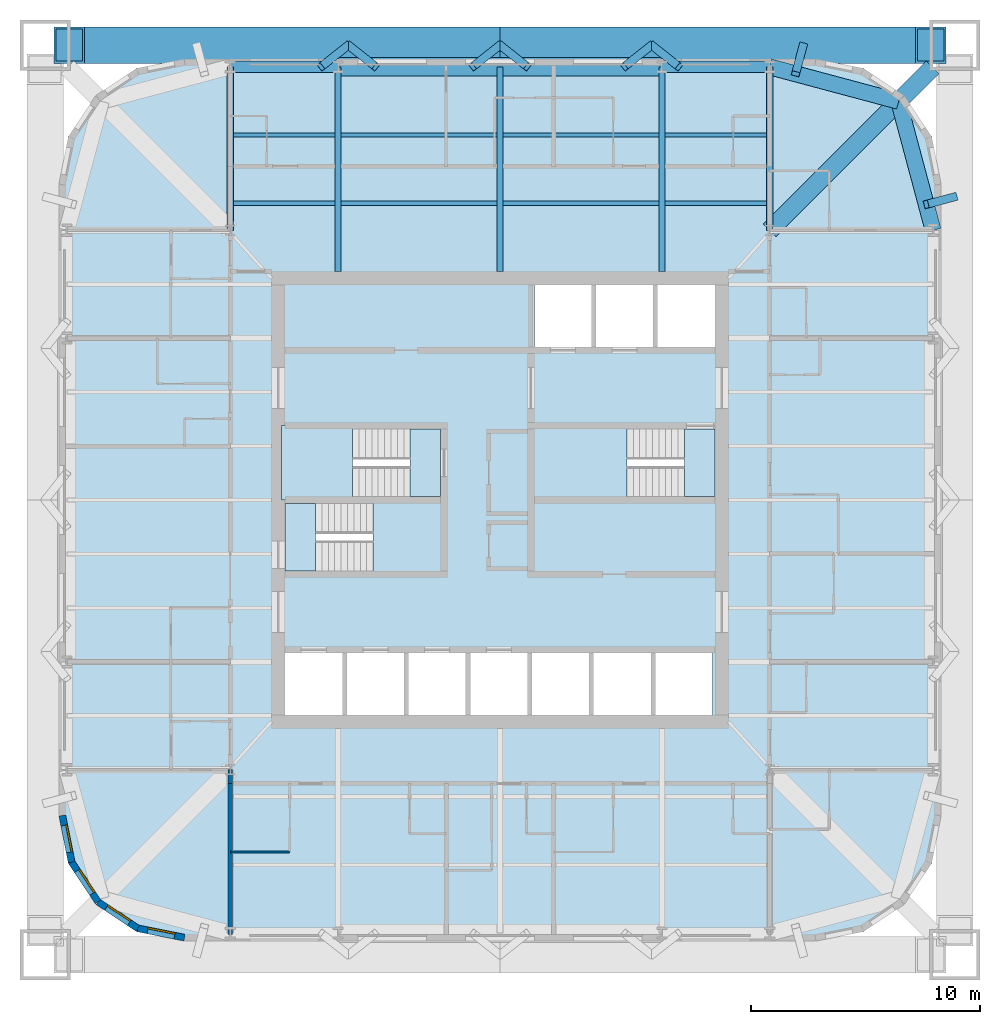
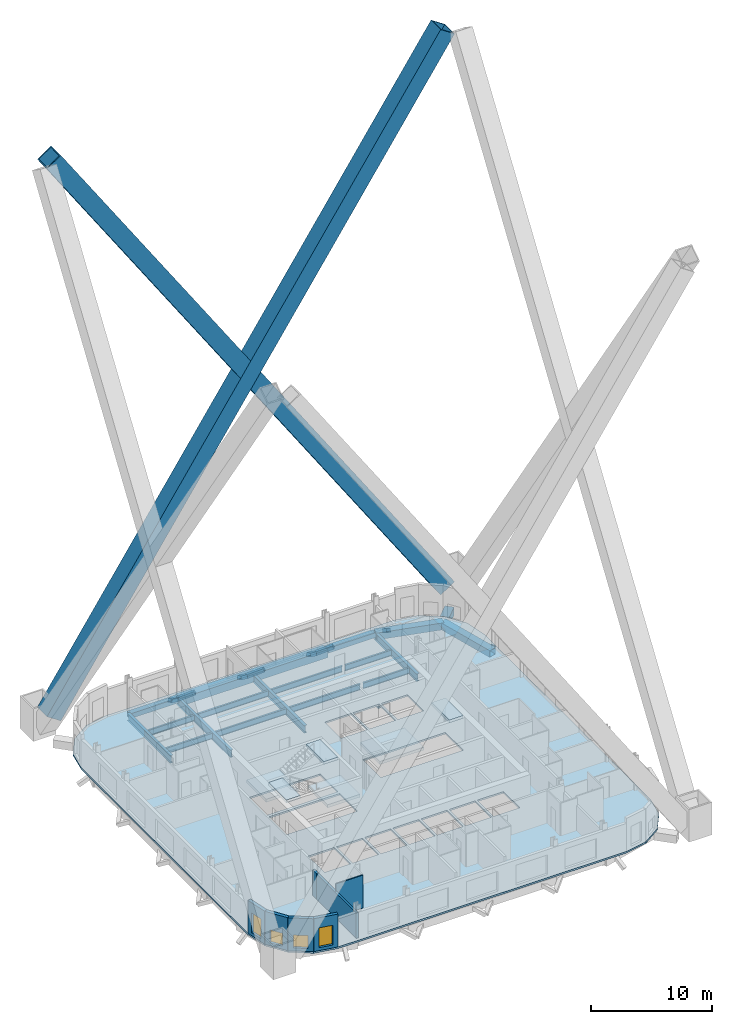
# One storey, part 2 of 9: 27 beams, 7 slabs, 7 walls, 4 windows, 2 members, 4 openings, 3 elements without a shape of their own.
"""IFC4 building model written with IfcOpenShell, lengths in metres."""

from ifc_helpers import new_model, si_unit, direction, frame, frame_2d, origin, origin_2d, place, context, subcontext, project, spatial, polyline, rectangle, hollow_rectangle, i_section, outline, extrude, material, layer, layer_set, material_profile, profile_set, type_object, element, fill, aggregate, save


model = new_model("IFC4")

# Units and contexts
model_context = context("Model", 3, precision=1e-05, world=origin(), true_north=direction((0.0, 1.0)))
body_context = subcontext(model_context, "Body", "Model", "MODEL_VIEW")
ifc_project = project(units=[si_unit("LENGTHUNIT", "METRE"), si_unit("AREAUNIT", "SQUARE_METRE"), si_unit("VOLUMEUNIT", "CUBIC_METRE"), si_unit("PLANEANGLEUNIT", "RADIAN"), si_unit("MASSUNIT", "GRAM", prefix="KILO")], contexts=[model_context])

# Site, building, storey
site_placement = place(None, origin())
site = spatial("IfcSite", under=ifc_project, at=site_placement, CompositionType="ELEMENT")
building_placement = place(site_placement, origin())
building = spatial("IfcBuilding", under=site, at=building_placement, Name="Turquesa Mirador Hotel Tower", CompositionType="ELEMENT")
storey_placement = place(building_placement, frame((0.0, 0.0, 161.800048828125)))
storey = spatial("IfcBuildingStorey", under=building, at=storey_placement, Name="L43", CompositionType="ELEMENT", Elevation=161.800048828125)

# Beams
ifc_material_1 = material(Name="Steel ASTM A572 Grade 50", Category="steel")
ifc_material_profile_1 = material_profile(ifc_material_1, hollow_rectangle(XDim=0.5, YDim=0.5, WallThickness=0.031982421875, at=origin_2d()), Name="BOX500X500X32")
ifc_profile_set_1 = profile_set([ifc_material_profile_1], Name="Steel ASTM A572 Grade 50")
beam_type_1 = type_object("IfcBeamType", Name="BEAM BOX500X500X32", PredefinedType="BEAM", material=ifc_profile_set_1)
for number, where, z_axis, x_axis, name in (
    (1, (43.199951171875, 63.949951171875, -0.420166015625), (1.0, 0.0, 0.0), (0.0, 1.0, 0.0), "EB-L43-N-L"),
    (2, (62.080078125, 63.949951171875, -0.420166015625), (1.0, 0.0, 0.0), (0.0, 1.0, 0.0), "EB-L43-N-R"),
):
    element("IfcBeam", number, at=place(storey_placement, frame(where, z_axis=z_axis, x_axis=x_axis)), inside=storey, type_object=beam_type_1, Name=name, PredefinedType="BEAM", context=body_context, shape_type="SweptSolid", body=[
        extrude(hollow_rectangle(XDim=0.5, YDim=0.5, WallThickness=0.031982421875, at=origin_2d()), origin(), (0.0, 0.0, 1.0), 4.719970703125),
    ])
ifc_material_2 = material(Name="Steel ASTM A572 Grade 50", Category="steel")
ifc_material_profile_2 = material_profile(ifc_material_2, hollow_rectangle(XDim=0.699951171875, YDim=0.699951171875, WallThickness=0.044921875, at=origin_2d()), Name="BOX700X700X45")
ifc_profile_set_2 = profile_set([ifc_material_profile_2], Name="Steel ASTM A572 Grade 50")
beam_type_2 = type_object("IfcBeamType", Name="BEAM BOX700X700X45", PredefinedType="BEAM", material=ifc_profile_set_2)
for number, where, z_axis, x_axis, name in (
    (3, (73.949951171875, 56.800048828125, -0.52001953125), (-0.258281892145, 0.966069595935, 0.0), (-0.966069595935, -0.258281892145, 0.0), "KE-L43-1-0"),
    (4, (72.441650390625, 62.441650390625, -0.52001953125), (-0.966069595935, 0.258281892145, 0.0), (-0.258281892145, -0.966069595935, 0.0), "KE-L43-1-1"),
):
    element("IfcBeam", number, at=place(storey_placement, frame(where, z_axis=z_axis, x_axis=x_axis)), inside=storey, type_object=beam_type_2, Name=name, PredefinedType="BEAM", context=body_context, shape_type="SweptSolid", body=[
        extrude(hollow_rectangle(XDim=0.699951171875, YDim=0.699951171875, WallThickness=0.044921875, at=origin_2d()), origin(), (0.0, 0.0, 1.0), 5.83984375),
    ])
ifc_material_3 = material(Name="Steel ASTM A572 Grade 50", Category="steel")
ifc_material_profile_3 = material_profile(ifc_material_3, hollow_rectangle(XDim=0.800048828125, YDim=0.800048828125, WallThickness=0.030029296875, at=origin_2d()), Name="BOX800X800X30")
ifc_profile_set_3 = profile_set([ifc_material_profile_3], Name="Steel ASTM A572 Grade 50")
beam_type_3 = type_object("IfcBeamType", Name="BEAM BOX800X800X30", PredefinedType="BEAM", material=ifc_profile_set_3)
beam_1_placement = place(storey_placement, frame((47.919921875, 63.949951171875, -0.570068359375), z_axis=(1.0, 0.0, 0.0), x_axis=(0.0, 1.0, 0.0)))
element("IfcBeam", 5, at=beam_1_placement, inside=storey, type_object=beam_type_3, Name="EB-L43-N-C", PredefinedType="BEAM", context=body_context, shape_type="SweptSolid", body=[
    extrude(hollow_rectangle(XDim=0.800048828125, YDim=0.800048828125, WallThickness=0.030029296875, at=origin_2d()), origin(), (0.0, 0.0, 1.0), 14.16015625),
])
ifc_material_4 = material(Name="Steel ASTM A572 Grade 50", Category="steel")
ifc_material_profile_4 = material_profile(ifc_material_4, hollow_rectangle(XDim=0.800048828125, YDim=0.800048828125, WallThickness=0.050048828125, at=origin_2d()), Name="BOX800X800X50")
ifc_profile_set_4 = profile_set([ifc_material_profile_4], Name="Steel ASTM A572 Grade 50")
beam_type_4 = type_object("IfcBeamType", Name="BEAM BOX800X800X50", PredefinedType="BEAM", material=ifc_profile_set_4)
beam_2_placement = place(storey_placement, frame((66.800048828125, 56.800048828125, -0.570068359375), z_axis=(0.707106781187, 0.707106781187, 0.0), x_axis=(-0.707106781187, 0.707106781187, 0.0)))
element("IfcBeam", 6, at=beam_2_placement, inside=storey, type_object=beam_type_4, Name="KD-L43-1", PredefinedType="BEAM", context=body_context, shape_type="SweptSolid", body=[
    extrude(hollow_rectangle(XDim=0.800048828125, YDim=0.800048828125, WallThickness=0.050048828125, at=origin_2d()), origin(), (0.0, 0.0, 1.0), 10.080322265625),
])
ifc_material_5 = material(Name="Steel ASTM A992 Grade 50", Category="steel")
ifc_material_profile_5 = material_profile(ifc_material_5, i_section(OverallWidth=0.177978515625, OverallDepth=0.599365234375, WebThickness=0.010009765625, FlangeThickness=0.012939453125, at=origin_2d()), Name="W24X55")
ifc_profile_set_5 = profile_set([ifc_material_profile_5], Name="Steel ASTM A992 Grade 50")
beam_type_5 = type_object("IfcBeamType", Name="BEAM W24X55", PredefinedType="BEAM", material=ifc_profile_set_5)
beam_3_placement = place(storey_placement, frame((43.333251953125, 57.98291015625, -0.4697265625), z_axis=(1.0, 0.0, 0.0), x_axis=(0.0, 1.0, 0.0)))
element("IfcBeam", 7, at=beam_3_placement, inside=storey, type_object=beam_type_5, Name="IB-L43-N-1-0", PredefinedType="BEAM", context=body_context, shape_type="SweptSolid", body=[
    extrude(i_section(OverallWidth=0.177978515625, OverallDepth=0.599365234375, WebThickness=0.010009765625, FlangeThickness=0.012939453125, at=origin_2d()), origin(), (0.0, 0.0, 1.0), 4.453369140625),
])
for number, where, z_axis, x_axis, name in (
    (8, (48.053466796875, 57.98291015625, -0.4697265625), (1.0, 0.0, 0.0), (0.0, 1.0, 0.0), "IB-L43-N-1-1"),
    (9, (55.13330078125, 57.98291015625, -0.4697265625), (1.0, 0.0, 0.0), (0.0, 1.0, 0.0), "IB-L43-N-1-2"),
):
    element("IfcBeam", number, at=place(storey_placement, frame(where, z_axis=z_axis, x_axis=x_axis)), inside=storey, type_object=beam_type_5, Name=name, PredefinedType="BEAM", context=body_context, shape_type="SweptSolid", body=[
        extrude(i_section(OverallWidth=0.177978515625, OverallDepth=0.599365234375, WebThickness=0.010009765625, FlangeThickness=0.012939453125, at=origin_2d()), origin(), (0.0, 0.0, 1.0), 6.813232421875),
    ])
for number, where, z_axis, x_axis, name in (
    (10, (62.21337890625, 57.98291015625, -0.4697265625), (1.0, 0.0, 0.0), (0.0, 1.0, 0.0), "IB-L43-N-1-3"),
    (11, (43.333251953125, 60.967041015625, -0.4697265625), (1.0, 0.0, 0.0), (0.0, 1.0, 0.0), "IB-L43-N-2-0"),
):
    element("IfcBeam", number, at=place(storey_placement, frame(where, z_axis=z_axis, x_axis=x_axis)), inside=storey, type_object=beam_type_5, Name=name, PredefinedType="BEAM", context=body_context, shape_type="SweptSolid", body=[
        extrude(i_section(OverallWidth=0.177978515625, OverallDepth=0.599365234375, WebThickness=0.010009765625, FlangeThickness=0.012939453125, at=origin_2d()), origin(), (0.0, 0.0, 1.0), 4.453369140625),
    ])
for number, where, z_axis, x_axis, name in (
    (12, (48.053466796875, 60.967041015625, -0.4697265625), (1.0, 0.0, 0.0), (0.0, 1.0, 0.0), "IB-L43-N-2-1"),
    (13, (55.13330078125, 60.967041015625, -0.4697265625), (1.0, 0.0, 0.0), (0.0, 1.0, 0.0), "IB-L43-N-2-2"),
):
    element("IfcBeam", number, at=place(storey_placement, frame(where, z_axis=z_axis, x_axis=x_axis)), inside=storey, type_object=beam_type_5, Name=name, PredefinedType="BEAM", context=body_context, shape_type="SweptSolid", body=[
        extrude(i_section(OverallWidth=0.177978515625, OverallDepth=0.599365234375, WebThickness=0.010009765625, FlangeThickness=0.012939453125, at=origin_2d()), origin(), (0.0, 0.0, 1.0), 6.813232421875),
    ])
beam_4_placement = place(storey_placement, frame((62.21337890625, 60.967041015625, -0.4697265625), z_axis=(1.0, 0.0, 0.0), x_axis=(0.0, 1.0, 0.0)))
element("IfcBeam", 14, at=beam_4_placement, inside=storey, type_object=beam_type_5, Name="IB-L43-N-2-3", PredefinedType="BEAM", context=body_context, shape_type="SweptSolid", body=[
    extrude(i_section(OverallWidth=0.177978515625, OverallDepth=0.599365234375, WebThickness=0.010009765625, FlangeThickness=0.012939453125, at=origin_2d()), origin(), (0.0, 0.0, 1.0), 4.453369140625),
])
ifc_material_6 = material(Name="Steel ASTM A992 Grade 50", Category="steel")
ifc_material_profile_6 = material_profile(ifc_material_6, i_section(OverallWidth=0.2666015625, OverallDepth=0.7568359375, WebThickness=0.013916015625, FlangeThickness=0.019287109375, at=origin_2d()), Name="W30X108")
ifc_profile_set_6 = profile_set([ifc_material_profile_6], Name="Steel ASTM A992 Grade 50")
beam_type_6 = type_object("IfcBeamType", Name="BEAM W30X108", PredefinedType="BEAM", material=ifc_profile_set_6)
for number, where, z_axis, x_axis, name in (
    (15, (47.919921875, 63.949951171875, -0.548583984375), (0.0, -1.0, 0.0), (1.0, 0.0, 0.0), "GD-L43-N--7.08"),
    (16, (62.080078125, 63.949951171875, -0.548583984375), (0.0, -1.0, 0.0), (1.0, 0.0, 0.0), "GD-L43-N-+7.08"),
    (17, (55.0, 63.949951171875, -0.548583984375), (0.0, -1.0, 0.0), (1.0, 0.0, 0.0), "GD-L43-N-+0.00"),
):
    element("IfcBeam", number, at=place(storey_placement, frame(where, z_axis=z_axis, x_axis=x_axis)), inside=storey, type_object=beam_type_6, Name=name, PredefinedType="BEAM", context=body_context, shape_type="SweptSolid", body=[
        extrude(i_section(OverallWidth=0.2666015625, OverallDepth=0.7568359375, WebThickness=0.013916015625, FlangeThickness=0.019287109375, at=origin_2d()), origin(), (0.0, 0.0, 1.0), 8.949951171875),
    ])
for number, where, z_axis, x_axis, name in (
    (18, (43.199951171875, 63.949951171875, -0.548583984375), (0.0, -1.0, 0.0), (1.0, 0.0, 0.0), "GK-L43-N--11.80"),
    (19, (66.800048828125, 63.949951171875, -0.548583984375), (0.0, -1.0, 0.0), (1.0, 0.0, 0.0), "GK-L43-N-+11.80"),
):
    element("IfcBeam", number, at=place(storey_placement, frame(where, z_axis=z_axis, x_axis=x_axis)), inside=storey, type_object=beam_type_6, Name=name, PredefinedType="BEAM", context=body_context, shape_type="SweptSolid", body=[
        extrude(i_section(OverallWidth=0.2666015625, OverallDepth=0.7568359375, WebThickness=0.013916015625, FlangeThickness=0.019287109375, at=origin_2d()), origin(), (0.0, 0.0, 1.0), 7.14990234375),
    ])
ifc_material_7 = material(Name="Steel ASTM A500 Grade C", Category="steel")
ifc_material_profile_7 = material_profile(ifc_material_7, hollow_rectangle(XDim=0.355712890625, YDim=0.355712890625, WallThickness=0.0146484375, at=origin_2d()), Name="HSS14X14X5/8")
ifc_profile_set_7 = profile_set([ifc_material_profile_7], Name="Steel ASTM A500 Grade C")
beam_type_7 = type_object("IfcBeamType", Name="BRACE STRUT HSS14X14X5/8", PredefinedType="BEAM", material=ifc_profile_set_7)
for number, where, z_axis, x_axis, name in (
    (20, (48.36669921875, 64.89990234375, -1.199951171875), (-0.685040169882, -0.542317660429, 0.486427302724), (0.620698858423, -0.784049059149, 0.0), "Brace strut"),
    (21, (48.36669921875, 64.89990234375, -1.199951171875), (0.685040169882, -0.542317660429, 0.486427302724), (0.620698858423, 0.784049059149, 0.0), "Brace strut"),
    (22, (55.0, 64.89990234375, -1.199951171875), (-0.685040169882, -0.542317660429, 0.486427302724), (0.620698858423, -0.784049059149, 0.0), "Brace strut"),
    (23, (55.0, 64.89990234375, -1.199951171875), (0.685040169882, -0.542317660429, 0.486427302724), (0.620698858423, 0.784049059149, 0.0), "Brace strut"),
    (24, (61.63330078125, 64.89990234375, -1.199951171875), (-0.685040169882, -0.542317660429, 0.486427302724), (0.620698858423, -0.784049059149, 0.0), "Brace strut"),
    (25, (61.63330078125, 64.89990234375, -1.199951171875), (0.685040169882, -0.542317660429, 0.486427302724), (0.620698858423, 0.784049059149, 0.0), "Brace strut"),
):
    element("IfcBeam", number, at=place(storey_placement, frame(where, z_axis=z_axis, x_axis=x_axis)), inside=storey, type_object=beam_type_7, Name=name, PredefinedType="BEAM", context=body_context, shape_type="SweptSolid", body=[
        extrude(hollow_rectangle(XDim=0.355712890625, YDim=0.355712890625, WallThickness=0.0146484375, at=origin_2d()), origin(), (0.0, 0.0, 1.0), 1.751708984375),
    ])
for number, where, z_axis, x_axis, name in (
    (26, (68.2666015625, 64.89990234375, -1.199951171875), (-0.215910750343, -0.807304773513, 0.549219036951), (0.966047151782, -0.258365826948, 0.0), "Brace strut"),
    (27, (74.89990234375, 58.2666015625, -1.199951171875), (-0.807304773513, -0.215910750343, 0.549219036951), (0.258365826948, -0.966047151782, 0.0), "Brace strut"),
):
    element("IfcBeam", number, at=place(storey_placement, frame(where, z_axis=z_axis, x_axis=x_axis)), inside=storey, type_object=beam_type_7, Name=name, PredefinedType="BEAM", context=body_context, shape_type="SweptSolid", body=[
        extrude(hollow_rectangle(XDim=0.355712890625, YDim=0.355712890625, WallThickness=0.0146484375, at=origin_2d()), origin(), (0.0, 0.0, 1.0), 1.55126953125),
    ])

# Members
ifc_material_8 = material(Name="Steel ASTM A572 Grade 50", Category="steel")
ifc_material_profile_8 = material_profile(ifc_material_8, hollow_rectangle(XDim=1.60009765625, YDim=1.60009765625, WallThickness=0.10009765625, at=origin_2d()), Name="BOX1600X1600X100")
ifc_profile_set_8 = profile_set([ifc_material_profile_8], Name="Steel ASTM A572 Grade 50")
member_type = type_object("IfcMemberType", Name="MEGA BRACE BOX1600X1600X100", PredefinedType="BRACE", material=ifc_profile_set_8)
for number, where, z_axis, x_axis, name in (
    (28, (36.14990234375, 64.89990234375, 1.569580078125), (0.555990726534, 0.0, 0.83118849367), (0.0, 1.0, 0.0), "Mega brace Z3 N 1"),
    (29, (73.85009765625, 64.89990234375, 1.569580078125), (-0.555990726534, 0.0, 0.83118849367), (0.0, -1.0, 0.0), "Mega brace Z3 N 2"),
):
    element("IfcMember", number, at=place(storey_placement, frame(where, z_axis=z_axis, x_axis=x_axis)), inside=storey, type_object=member_type, Name=name, PredefinedType="BRACE", context=body_context, shape_type="SweptSolid", body=[
        extrude(hollow_rectangle(XDim=1.60009765625, YDim=1.60009765625, WallThickness=0.10009765625, at=origin_2d()), origin(), (0.0, 0.0, 1.0), 67.80712890625),
    ])

# Slab
ifc_material_9 = material(Name="Concrete C28/35", Category="concrete")
ifc_layer_1 = layer(ifc_material_9, 0.169921875)
ifc_layer_set_1 = layer_set([ifc_layer_1], Name="COMPOSITE FLOOR SLAB 170")
slab_type_1 = type_object("IfcSlabType", Name="COMPOSITE FLOOR SLAB 170", PredefinedType="FLOOR", material=ifc_layer_set_1)
slab_1_placement = place(storey_placement, frame((0.0, 0.0, -0.170166015625)))
element("IfcSlab", 30, at=slab_1_placement, inside=storey, type_object=slab_type_1, Name="Floor slab L43", PredefinedType="FLOOR", context=body_context, shape_type="SweptSolid", body=[
    extrude(outline(polyline([(68.800048828125, 25.699951171875), (70.90478515625, 26.11865234375), (72.689208984375, 27.310791015625), (73.88134765625, 29.09521484375), (74.300048828125, 31.199951171875), (74.300048828125, 58.800048828125), (73.88134765625, 60.90478515625), (72.689208984375, 62.689208984375), (70.90478515625, 63.88134765625), (68.800048828125, 64.300048828125), (41.199951171875, 64.300048828125), (39.09521484375, 63.88134765625), (37.310791015625, 62.689208984375), (36.11865234375, 60.90478515625), (35.699951171875, 58.800048828125), (35.699951171875, 31.199951171875), (36.11865234375, 29.09521484375), (37.310791015625, 27.310791015625), (39.09521484375, 26.11865234375), (41.199951171875, 25.699951171875), (68.800048828125, 25.699951171875)]), holes=[polyline([(56.5, 51.699951171875), (59.0, 51.699951171875), (59.0, 54.39990234375), (56.5, 54.39990234375), (56.5, 51.699951171875)]), polyline([(59.199951171875, 51.699951171875), (61.699951171875, 51.699951171875), (61.699951171875, 54.39990234375), (59.199951171875, 54.39990234375), (59.199951171875, 51.699951171875)]), polyline([(45.60009765625, 35.60009765625), (48.10009765625, 35.60009765625), (48.10009765625, 38.300048828125), (45.60009765625, 38.300048828125), (45.60009765625, 35.60009765625)]), polyline([(48.300048828125, 35.60009765625), (50.800048828125, 35.60009765625), (50.800048828125, 38.300048828125), (48.300048828125, 38.300048828125), (48.300048828125, 35.60009765625)]), polyline([(51.0, 35.60009765625), (53.5, 35.60009765625), (53.5, 38.300048828125), (51.0, 38.300048828125), (51.0, 35.60009765625)]), polyline([(53.699951171875, 35.60009765625), (56.199951171875, 35.60009765625), (56.199951171875, 38.300048828125), (53.699951171875, 38.300048828125), (53.699951171875, 35.60009765625)]), polyline([(56.39990234375, 35.60009765625), (58.89990234375, 35.60009765625), (58.89990234375, 38.300048828125), (56.39990234375, 38.300048828125), (56.39990234375, 35.60009765625)]), polyline([(59.10009765625, 35.60009765625), (61.60009765625, 35.60009765625), (61.60009765625, 38.300048828125), (59.10009765625, 38.300048828125), (59.10009765625, 35.60009765625)]), polyline([(61.800048828125, 35.60009765625), (64.300048828125, 35.60009765625), (64.300048828125, 38.300048828125), (61.800048828125, 38.300048828125), (61.800048828125, 35.60009765625)]), polyline([(45.60009765625, 45.14990234375), (52.39990234375, 45.14990234375), (52.39990234375, 48.10009765625), (45.60009765625, 48.10009765625), (45.60009765625, 45.14990234375)]), polyline([(45.60009765625, 41.89990234375), (52.39990234375, 41.89990234375), (52.39990234375, 44.85009765625), (45.60009765625, 44.85009765625), (45.60009765625, 41.89990234375)]), polyline([(56.5, 45.14990234375), (64.39990234375, 45.14990234375), (64.39990234375, 48.10009765625), (56.5, 48.10009765625), (56.5, 45.14990234375)]), polyline([(61.89990234375, 51.699951171875), (64.39990234375, 51.699951171875), (64.39990234375, 54.39990234375), (61.89990234375, 54.39990234375), (61.89990234375, 51.699951171875)])]), origin(), (0.0, 0.0, 1.0), 0.170166015625),
])

# Stair, slabs
ifc_material_10 = material(Name="Concrete C35/45", Category="concrete")
stair_type = type_object("IfcStairType", Name="ESCAPE STAIR CORE", PredefinedType="HALF_TURN_STAIR", material=ifc_material_10)
stair_1_placement = place(storey_placement, origin())
stair_1 = element("IfcStair", 31, at=stair_1_placement, inside=storey, type_object=stair_type, Name="Stair ST1 L43 to L44", PredefinedType="HALF_TURN_STAIR")
ifc_material_11 = material(Name="Concrete C35/45", Category="concrete")
ifc_layer_2 = layer(ifc_material_11, 0.300048828125)
ifc_layer_set_2 = layer_set([ifc_layer_2], Name="STAIR LANDING 300")
slab_type_2 = type_object("IfcSlabType", Name="STAIR LANDING 300", PredefinedType="LANDING", material=ifc_layer_set_2)
slab_2_placement = place(storey_placement, frame((0.0, 0.0, 1.449951171875)))
slab_2 = element("IfcSlab", 32, at=slab_2_placement, type_object=slab_type_2, Name="ST1 landing 1", PredefinedType="LANDING", context=body_context, shape_type="SweptSolid", body=[
    extrude(outline(polyline([(45.449951171875, 45.0), (48.550048828125, 45.0), (48.550048828125, 48.25), (45.449951171875, 48.25), (45.449951171875, 45.0)])), origin(), (0.0, 0.0, 1.0), 0.300048828125),
])
slab_3_placement = place(storey_placement, frame((0.0, 0.0, 3.199951171875)))
slab_3 = element("IfcSlab", 33, at=slab_3_placement, type_object=slab_type_2, Name="ST1 landing 2", PredefinedType="LANDING", context=body_context, shape_type="SweptSolid", body=[
    extrude(outline(polyline([(51.070068359375, 45.14990234375), (52.39990234375, 45.14990234375), (52.39990234375, 48.10009765625), (51.070068359375, 48.10009765625), (51.070068359375, 45.14990234375)])), origin(), (0.0, 0.0, 1.0), 0.300048828125),
])
aggregate(stair_1, [slab_2, slab_3])

stair_2_placement = place(storey_placement, origin())
stair_2 = element("IfcStair", 34, at=stair_2_placement, inside=storey, type_object=stair_type, Name="Stair ST2 L43 to L44", PredefinedType="HALF_TURN_STAIR")
slab_4_placement = place(storey_placement, frame((0.0, 0.0, 1.449951171875)))
slab_4 = element("IfcSlab", 35, at=slab_4_placement, type_object=slab_type_2, Name="ST2 landing 1", PredefinedType="LANDING", context=body_context, shape_type="SweptSolid", body=[
    extrude(outline(polyline([(52.550048828125, 45.0), (49.449951171875, 45.0), (49.449951171875, 41.75), (52.550048828125, 41.75), (52.550048828125, 45.0)])), origin(), (0.0, 0.0, 1.0), 0.300048828125),
])
slab_5_placement = place(storey_placement, frame((0.0, 0.0, 3.199951171875)))
slab_5 = element("IfcSlab", 36, at=slab_5_placement, type_object=slab_type_2, Name="ST2 landing 2", PredefinedType="LANDING", context=body_context, shape_type="SweptSolid", body=[
    extrude(outline(polyline([(46.929931640625, 44.85009765625), (45.60009765625, 44.85009765625), (45.60009765625, 41.89990234375), (46.929931640625, 41.89990234375), (46.929931640625, 44.85009765625)])), origin(), (0.0, 0.0, 1.0), 0.300048828125),
])
aggregate(stair_2, [slab_4, slab_5])

stair_3_placement = place(storey_placement, origin())
stair_3 = element("IfcStair", 37, at=stair_3_placement, inside=storey, type_object=stair_type, Name="Stair ST3 L43 to L44", PredefinedType="HALF_TURN_STAIR")
slab_6_placement = place(storey_placement, frame((0.0, 0.0, 1.449951171875)))
slab_6 = element("IfcSlab", 38, at=slab_6_placement, type_object=slab_type_2, Name="ST3 landing 1", PredefinedType="LANDING", context=body_context, shape_type="SweptSolid", body=[
    extrude(outline(polyline([(56.35009765625, 45.0), (60.550048828125, 45.0), (60.550048828125, 48.25), (56.35009765625, 48.25), (56.35009765625, 45.0)])), origin(), (0.0, 0.0, 1.0), 0.300048828125),
])
slab_7_placement = place(storey_placement, frame((0.0, 0.0, 3.199951171875)))
slab_7 = element("IfcSlab", 39, at=slab_7_placement, type_object=slab_type_2, Name="ST3 landing 2", PredefinedType="LANDING", context=body_context, shape_type="SweptSolid", body=[
    extrude(outline(polyline([(63.070068359375, 45.14990234375), (64.39990234375, 45.14990234375), (64.39990234375, 48.10009765625), (63.070068359375, 48.10009765625), (63.070068359375, 45.14990234375)])), origin(), (0.0, 0.0, 1.0), 0.300048828125),
])
aggregate(stair_3, [slab_6, slab_7])

# Walls
ifc_material_12 = material(Name="Gypsum board on steel studs", Category="steel")
ifc_layer_3 = layer(ifc_material_12, 0.10009765625)
ifc_layer_set_3 = layer_set([ifc_layer_3], Name="BATHROOM WALL 100")
wall_type_1 = type_object("IfcWallType", Name="BATHROOM WALL 100", PredefinedType="PARTITIONING", material=ifc_layer_set_3)
wall_1_placement = place(storey_placement, frame((43.199951171875, 29.60009765625, 0.0), z_axis=(0.0, 0.0, 1.0), x_axis=(1.0, 0.0, 0.0)))
element("IfcWall", 40, at=wall_1_placement, inside=storey, type_object=wall_type_1, Name="Partition L43 009", PredefinedType="PARTITIONING", context=body_context, shape_type="SweptSolid", body=[
    extrude(rectangle(XDim=2.60009765625, YDim=0.10009765625, at=frame_2d((1.300048828125, 0.0))), origin(), (0.0, 0.0, 1.0), 3.329833984375),
])
ifc_material_13 = material(Name="Fire-rated gypsum board on steel studs", Category="steel")
ifc_layer_4 = layer(ifc_material_13, 0.199951171875)
ifc_layer_set_4 = layer_set([ifc_layer_4], Name="CORRIDOR WALL 200")
wall_type_2 = type_object("IfcWallType", Name="CORRIDOR WALL 200", PredefinedType="PARTITIONING", material=ifc_layer_set_4)
wall_2_placement = place(storey_placement, frame((43.199951171875, 32.60009765625, 0.0), z_axis=(0.0, 0.0, 1.0), x_axis=(0.0, 1.0, 0.0)))
element("IfcWall", 41, at=wall_2_placement, inside=storey, type_object=wall_type_2, Name="Partition L43 073", PredefinedType="PARTITIONING", context=body_context, shape_type="SweptSolid", body=[
    extrude(rectangle(XDim=0.619873046875, YDim=0.199951171875, at=frame_2d((0.31005859375, 0.0))), origin(), (0.0, 0.0, 1.0), 2.572998046875),
])

# Wall, opening, window
ifc_material_14 = material(Name="Limestone cladding on concrete block", Category="masonry")
ifc_layer_5 = layer(ifc_material_14, 0.300048828125)
ifc_layer_set_5 = layer_set([ifc_layer_5], Name="FACADE WALL 300 STONE SCREEN")
wall_type_3 = type_object("IfcWallType", Name="FACADE WALL 300 STONE SCREEN", PredefinedType="SOLIDWALL", material=ifc_layer_set_5)
wall_3_placement = place(storey_placement, frame((35.85009765625, 31.199951171875, 0.0), z_axis=(0.0, 0.0, 1.0), x_axis=(0.195081421501, -0.980787050784, 0.0)))
wall_3 = element("IfcWall", 42, at=wall_3_placement, inside=storey, type_object=wall_type_3, Name="Facade wall L43 15", PredefinedType="SOLIDWALL", context=body_context, shape_type="SweptSolid", body=[
    extrude(rectangle(XDim=2.08740234375, YDim=0.300048828125, at=frame_2d((1.043701171875, 0.0))), origin(), (0.0, 0.0, 1.0), 3.329833984375),
])
opening_1_placement = place(wall_3_placement, frame((0.443603515625, 0.0, 0.300048828125)))
opening_1 = element("IfcOpeningElement", 43, at=opening_1_placement, cuts=wall_3, Name="Opening WN4", PredefinedType="OPENING", context=body_context, shape_type="SweptSolid", body=[
    extrude(rectangle(XDim=1.199951171875, YDim=2.0, at=frame_2d((0.60009765625, 1.0))), frame((0.0, 0.159912109375, 0.0), z_axis=(0.0, -1.0, 0.0), x_axis=(1.0, 0.0, 0.0)), (0.0, 0.0, 1.0), 0.320068359375),
])
ifc_material_15 = material(Name="Ceramic-fritted laminated glass", Category="glass")
window_type_1 = type_object("IfcWindowType", Name="FRITTED CORNER WINDOW 1200X2000", PartitioningType="DOUBLE_PANEL_HORIZONTAL", PredefinedType="WINDOW", material=ifc_material_15)
window_1_placement = place(opening_1_placement, origin())
window_1 = element("IfcWindow", 44, at=window_1_placement, inside=storey, type_object=window_type_1, Name="Window L43", OverallHeight=2.0, OverallWidth=1.199951171875, PartitioningType="SINGLE_PANEL", PredefinedType="WINDOW", context=body_context, shape_type="SweptSolid", body=[
    extrude(rectangle(XDim=1.199951171875, YDim=2.0, at=frame_2d((0.60009765625, 1.0))), frame((0.0, 0.130126953125, 0.0), z_axis=(0.0, -1.0, 0.0), x_axis=(1.0, 0.0, 0.0)), (0.0, 0.0, 1.0), 0.06005859375),
])
fill(opening_1, window_1)

wall_4_placement = place(storey_placement, frame((36.25732421875, 29.152587890625, 0.0), z_axis=(0.0, 0.0, 1.0), x_axis=(0.555563607591, -0.831474039234, 0.0)))
wall_4 = element("IfcWall", 45, at=wall_4_placement, inside=storey, type_object=wall_type_3, Name="Facade wall L43 16", PredefinedType="SOLIDWALL", context=body_context, shape_type="SweptSolid", body=[
    extrude(rectangle(XDim=2.08740234375, YDim=0.300048828125, at=frame_2d((1.043701171875, 0.0))), origin(), (0.0, 0.0, 1.0), 3.329833984375),
])
opening_2_placement = place(wall_4_placement, frame((0.443603515625, 0.0, 0.300048828125)))
opening_2 = element("IfcOpeningElement", 46, at=opening_2_placement, cuts=wall_4, Name="Opening WN24", PredefinedType="OPENING", context=body_context, shape_type="SweptSolid", body=[
    extrude(rectangle(XDim=1.199951171875, YDim=1.300048828125, at=frame_2d((0.60009765625, 0.64990234375))), frame((0.0, 0.159912109375, 0.0), z_axis=(0.0, -1.0, 0.0), x_axis=(1.0, 0.0, 0.0)), (0.0, 0.0, 1.0), 0.320068359375),
])
ifc_material_16 = material(Name="Ceramic-fritted laminated glass", Category="glass")
window_type_2 = type_object("IfcWindowType", Name="FRITTED CORNER WINDOW 1200X1300", PartitioningType="DOUBLE_PANEL_HORIZONTAL", PredefinedType="WINDOW", material=ifc_material_16)
window_2_placement = place(opening_2_placement, origin())
window_2 = element("IfcWindow", 47, at=window_2_placement, inside=storey, type_object=window_type_2, Name="Window L43", OverallHeight=1.300048828125, OverallWidth=1.199951171875, PartitioningType="SINGLE_PANEL", PredefinedType="WINDOW", context=body_context, shape_type="SweptSolid", body=[
    extrude(rectangle(XDim=1.199951171875, YDim=1.300048828125, at=frame_2d((0.60009765625, 0.64990234375))), frame((0.0, 0.130126953125, 0.0), z_axis=(0.0, -1.0, 0.0), x_axis=(1.0, 0.0, 0.0)), (0.0, 0.0, 1.0), 0.06005859375),
])
fill(opening_2, window_2)

wall_5_placement = place(storey_placement, frame((37.4169921875, 27.4169921875, 0.0), z_axis=(0.0, 0.0, 1.0), x_axis=(0.831474039234, -0.555563607591, 0.0)))
wall_5 = element("IfcWall", 48, at=wall_5_placement, inside=storey, type_object=wall_type_3, Name="Facade wall L43 17", PredefinedType="SOLIDWALL", context=body_context, shape_type="SweptSolid", body=[
    extrude(rectangle(XDim=2.08740234375, YDim=0.300048828125, at=frame_2d((1.043701171875, 0.0))), origin(), (0.0, 0.0, 1.0), 3.329833984375),
])
opening_3_placement = place(wall_5_placement, frame((0.443603515625, 0.0, 0.300048828125)))
opening_3 = element("IfcOpeningElement", 49, at=opening_3_placement, cuts=wall_5, Name="Opening WN24", PredefinedType="OPENING", context=body_context, shape_type="SweptSolid", body=[
    extrude(rectangle(XDim=1.199951171875, YDim=1.300048828125, at=frame_2d((0.60009765625, 0.64990234375))), frame((0.0, 0.159912109375, 0.0), z_axis=(0.0, -1.0, 0.0), x_axis=(1.0, 0.0, 0.0)), (0.0, 0.0, 1.0), 0.320068359375),
])
window_3_placement = place(opening_3_placement, origin())
window_3 = element("IfcWindow", 50, at=window_3_placement, inside=storey, type_object=window_type_2, Name="Window L43", OverallHeight=1.300048828125, OverallWidth=1.199951171875, PartitioningType="SINGLE_PANEL", PredefinedType="WINDOW", context=body_context, shape_type="SweptSolid", body=[
    extrude(rectangle(XDim=1.199951171875, YDim=1.300048828125, at=frame_2d((0.60009765625, 0.64990234375))), frame((0.0, 0.130126953125, 0.0), z_axis=(0.0, -1.0, 0.0), x_axis=(1.0, 0.0, 0.0)), (0.0, 0.0, 1.0), 0.06005859375),
])
fill(opening_3, window_3)

wall_6_placement = place(storey_placement, frame((39.152587890625, 26.25732421875, 0.0), z_axis=(0.0, 0.0, 1.0), x_axis=(0.980787050784, -0.195081421501, 0.0)))
wall_6 = element("IfcWall", 51, at=wall_6_placement, inside=storey, type_object=wall_type_3, Name="Facade wall L43 18", PredefinedType="SOLIDWALL", context=body_context, shape_type="SweptSolid", body=[
    extrude(rectangle(XDim=2.08740234375, YDim=0.300048828125, at=frame_2d((1.043701171875, 0.0))), origin(), (0.0, 0.0, 1.0), 3.329833984375),
])
opening_4_placement = place(wall_6_placement, frame((0.443603515625, 0.0, 0.300048828125)))
opening_4 = element("IfcOpeningElement", 52, at=opening_4_placement, cuts=wall_6, Name="Opening WN4", PredefinedType="OPENING", context=body_context, shape_type="SweptSolid", body=[
    extrude(rectangle(XDim=1.199951171875, YDim=2.0, at=frame_2d((0.60009765625, 1.0))), frame((0.0, 0.159912109375, 0.0), z_axis=(0.0, -1.0, 0.0), x_axis=(1.0, 0.0, 0.0)), (0.0, 0.0, 1.0), 0.320068359375),
])
window_4_placement = place(opening_4_placement, origin())
window_4 = element("IfcWindow", 53, at=window_4_placement, inside=storey, type_object=window_type_1, Name="Window L43", OverallHeight=2.0, OverallWidth=1.199951171875, PartitioningType="SINGLE_PANEL", PredefinedType="WINDOW", context=body_context, shape_type="SweptSolid", body=[
    extrude(rectangle(XDim=1.199951171875, YDim=2.0, at=frame_2d((0.60009765625, 1.0))), frame((0.0, 0.130126953125, 0.0), z_axis=(0.0, -1.0, 0.0), x_axis=(1.0, 0.0, 0.0)), (0.0, 0.0, 1.0), 0.06005859375),
])
fill(opening_4, window_4)

# Wall
ifc_material_17 = material(Name="Fire-rated gypsum board on steel studs", Category="steel")
ifc_layer_6 = layer(ifc_material_17, 0.199951171875)
ifc_layer_set_6 = layer_set([ifc_layer_6], Name="PARTY WALL 200")
wall_type_4 = type_object("IfcWallType", Name="PARTY WALL 200", PredefinedType="PARTITIONING", material=ifc_layer_set_6)
wall_7_placement = place(storey_placement, frame((43.199951171875, 26.0, 0.0), z_axis=(0.0, 0.0, 1.0), x_axis=(0.0, 1.0, 0.0)))
element("IfcWall", 54, at=wall_7_placement, inside=storey, type_object=wall_type_4, Name="Partition L43 043", PredefinedType="PARTITIONING", context=body_context, shape_type="SweptSolid", body=[
    extrude(rectangle(XDim=6.60009765625, YDim=0.199951171875, at=frame_2d((3.300048828125, 0.0))), origin(), (0.0, 0.0, 1.0), 2.572998046875),
])

save(model, "model.ifc")
